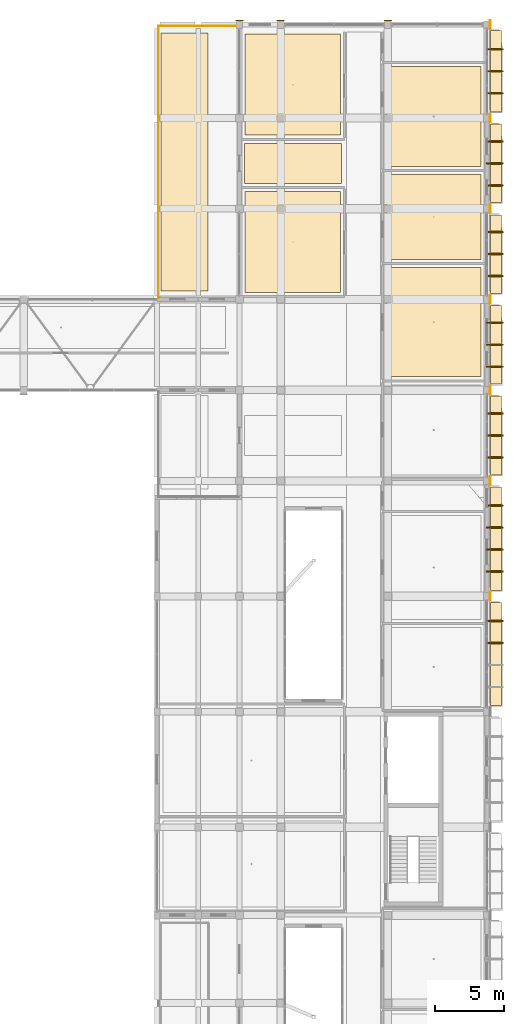
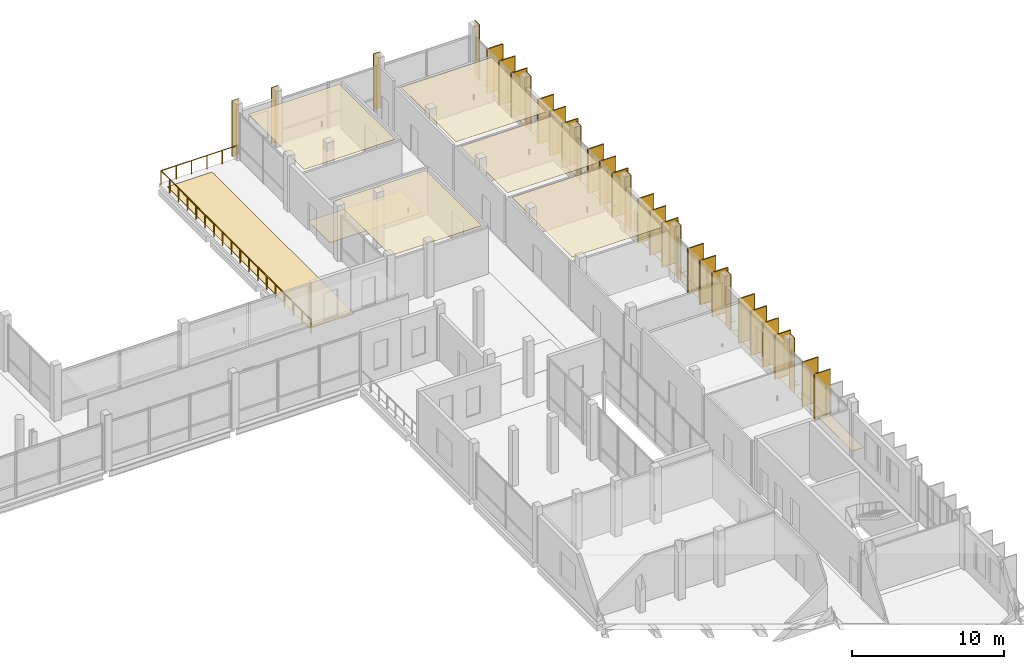
# One storey, part 95 of 95: 45 coverings, 21 shading devices, 2 railings.
"""IFC4 building model written with IfcOpenShell, lengths in metres."""

from ifc_helpers import new_model, si_unit, derived_unit, direction, frame, origin, origin_2d, place, context, subcontext, project, spatial, polyline, rectangle, circle, outline, extrude, material, layer, layer_set, type_object, element, save


model = new_model("IFC4")

# Units and contexts
model_context = context("Model", 3, precision=1e-05, world=origin(), true_north=direction((0.0, 1.0)))
body_context = subcontext(model_context, "Body", "Model", "MODEL_VIEW")
ifc_project = project(units=[si_unit("LENGTHUNIT", "METRE"), si_unit("AREAUNIT", "SQUARE_METRE"), si_unit("VOLUMEUNIT", "CUBIC_METRE"), si_unit("PLANEANGLEUNIT", "RADIAN"), si_unit("MASSUNIT", "GRAM", prefix="KILO"), derived_unit("THERMALTRANSMITTANCEUNIT", [(si_unit("POWERUNIT", "WATT"), 1), (si_unit("LENGTHUNIT", "METRE"), -2), (si_unit("THERMODYNAMICTEMPERATUREUNIT", "KELVIN"), -1)])], contexts=[model_context])

# Site, building, storey
site_placement = place(None, origin())
site = spatial("IfcSite", under=ifc_project, at=site_placement, CompositionType="ELEMENT")
building_placement = place(site_placement, origin())
building = spatial("IfcBuilding", under=site, at=building_placement, Name="Braskholm Square Health Centre", CompositionType="ELEMENT")
storey_placement = place(building_placement, frame((0.0, 0.0, 4.800048828125)))
storey = spatial("IfcBuildingStorey", under=building, at=storey_placement, Name="L02", CompositionType="ELEMENT", Elevation=4.800048828125)

# Coverings
ifc_material_1 = material(Name="Fire-rated gypsum board barrier")
ifc_layer_1 = layer(ifc_material_1, 0.02490234375)
ifc_layer_set_1 = layer_set([ifc_layer_1], Name="Fire-rated gypsum board barrier")
covering_type_1 = type_object("IfcCoveringType", Name="AcousticClinicalCeilingTile", PredefinedType="CEILING", material=ifc_layer_set_1)
covering_1_placement = place(storey_placement, frame((0.0, 0.0, 3.764892578125)))
element("IfcCovering", 1, at=covering_1_placement, inside=storey, type_object=covering_type_1, Name="Acoustic ceiling L02-199", PredefinedType="CEILING", context=body_context, shape_type="SweptSolid", body=[
    extrude(outline(polyline([(156.5, 88.179931640625), (163.3798828125, 88.179931640625), (163.3798828125, 96.110107421875), (156.5, 96.110107421875), (156.5, 88.179931640625)])), origin(), (0.0, 0.0, 1.0), 0.025146484375),
])
covering_2_placement = place(storey_placement, frame((0.0, 0.0, 3.764892578125)))
element("IfcCovering", 2, at=covering_2_placement, inside=storey, type_object=covering_type_1, Name="Acoustic ceiling L02-200", PredefinedType="CEILING", context=body_context, shape_type="SweptSolid", body=[
    extrude(outline(polyline([(156.5, 96.7099609375), (163.3798828125, 96.7099609375), (163.3798828125, 102.889892578125), (156.5, 102.889892578125), (156.5, 96.7099609375)])), origin(), (0.0, 0.0, 1.0), 0.025146484375),
])
covering_3_placement = place(storey_placement, frame((0.0, 0.0, 3.764892578125)))
element("IfcCovering", 3, at=covering_3_placement, inside=storey, type_object=covering_type_1, Name="Acoustic ceiling L02-201", PredefinedType="CEILING", context=body_context, shape_type="SweptSolid", body=[
    extrude(outline(polyline([(156.5, 103.489990234375), (163.3798828125, 103.489990234375), (163.3798828125, 110.739990234375), (156.5, 110.739990234375), (156.5, 103.489990234375)])), origin(), (0.0, 0.0, 1.0), 0.025146484375),
])
covering_4_placement = place(storey_placement, frame((0.0, 0.0, 3.764892578125)))
element("IfcCovering", 4, at=covering_4_placement, inside=storey, type_object=covering_type_1, Name="Acoustic ceiling L02-213", PredefinedType="CEILING", context=body_context, shape_type="SweptSolid", body=[
    extrude(outline(polyline([(146.219970703125, 94.300048828125), (153.14990234375, 94.300048828125), (153.14990234375, 101.64990234375), (146.219970703125, 101.64990234375), (146.219970703125, 94.300048828125)])), origin(), (0.0, 0.0, 1.0), 0.025146484375),
])
covering_5_placement = place(storey_placement, frame((0.0, 0.0, 3.764892578125)))
element("IfcCovering", 5, at=covering_5_placement, inside=storey, type_object=covering_type_1, Name="Acoustic ceiling L02-214", PredefinedType="CEILING", context=body_context, shape_type="SweptSolid", body=[
    extrude(outline(polyline([(146.219970703125, 105.75), (153.14990234375, 105.75), (153.14990234375, 113.10009765625), (146.219970703125, 113.10009765625), (146.219970703125, 105.75)])), origin(), (0.0, 0.0, 1.0), 0.025146484375),
])

# Railings
ifc_material_2 = material(Name="Dark patinated chevron architectural bronze", Category="aluminium")
railing_type = type_object("IfcRailingType", Name="BronzeChevronGuardrail1100", PredefinedType="GUARDRAIL", material=ifc_material_2)
railing_1_placement = place(storey_placement, frame((139.89990234375, 93.89990234375, 0.0)))
element("IfcRailing", 6, at=railing_1_placement, inside=storey, type_object=railing_type, Name="Bronze chevron guardrail 0011 L02", PredefinedType="GUARDRAIL", context=body_context, shape_type="SweptSolid", body=[
    extrude(circle(Radius=0.02392578125, at=origin_2d()), frame((0.0, 0.0, 1.076171875), z_axis=(0.0, 1.0, 0.0), x_axis=(-1.0, 0.0, 0.0)), (0.0, 0.0, 1.0), 19.800048828125),
    extrude(circle(Radius=0.02099609375, at=origin_2d()), origin(), (0.0, 0.0, 1.0), 1.052001953125),
    extrude(circle(Radius=0.02099609375, at=origin_2d()), frame((0.0, 1.164794921875, 0.0)), (0.0, 0.0, 1.0), 1.052001953125),
    extrude(circle(Radius=0.02099609375, at=origin_2d()), frame((0.0, 2.329345703125, 0.0)), (0.0, 0.0, 1.0), 1.052001953125),
    extrude(circle(Radius=0.02099609375, at=origin_2d()), frame((0.0, 3.494140625, 0.0)), (0.0, 0.0, 1.0), 1.052001953125),
    extrude(circle(Radius=0.02099609375, at=origin_2d()), frame((0.0, 4.658935546875, 0.0)), (0.0, 0.0, 1.0), 1.052001953125),
    extrude(circle(Radius=0.02099609375, at=origin_2d()), frame((0.0, 5.823486328125, 0.0)), (0.0, 0.0, 1.0), 1.052001953125),
    extrude(circle(Radius=0.02099609375, at=origin_2d()), frame((0.0, 6.98828125, 0.0)), (0.0, 0.0, 1.0), 1.052001953125),
    extrude(circle(Radius=0.02099609375, at=origin_2d()), frame((0.0, 8.153076171875, 0.0)), (0.0, 0.0, 1.0), 1.052001953125),
    extrude(circle(Radius=0.02099609375, at=origin_2d()), frame((0.0, 9.317626953125, 0.0)), (0.0, 0.0, 1.0), 1.052001953125),
    extrude(circle(Radius=0.02099609375, at=origin_2d()), frame((0.0, 10.482421875, 0.0)), (0.0, 0.0, 1.0), 1.052001953125),
    extrude(circle(Radius=0.02099609375, at=origin_2d()), frame((0.0, 11.64697265625, 0.0)), (0.0, 0.0, 1.0), 1.052001953125),
    extrude(circle(Radius=0.02099609375, at=origin_2d()), frame((0.0, 12.811767578125, 0.0)), (0.0, 0.0, 1.0), 1.052001953125),
    extrude(circle(Radius=0.02099609375, at=origin_2d()), frame((0.0, 13.9765625, 0.0)), (0.0, 0.0, 1.0), 1.052001953125),
    extrude(circle(Radius=0.02099609375, at=origin_2d()), frame((0.0, 15.14111328125, 0.0)), (0.0, 0.0, 1.0), 1.052001953125),
    extrude(circle(Radius=0.02099609375, at=origin_2d()), frame((0.0, 16.305908203125, 0.0)), (0.0, 0.0, 1.0), 1.052001953125),
    extrude(circle(Radius=0.02099609375, at=origin_2d()), frame((0.0, 17.470703125, 0.0)), (0.0, 0.0, 1.0), 1.052001953125),
    extrude(circle(Radius=0.02099609375, at=origin_2d()), frame((0.0, 18.63525390625, 0.0)), (0.0, 0.0, 1.0), 1.052001953125),
    extrude(circle(Radius=0.02099609375, at=origin_2d()), frame((0.0, 19.800048828125, 0.0)), (0.0, 0.0, 1.0), 1.052001953125),
])
railing_2_placement = place(storey_placement, frame((139.89990234375, 113.699951171875, 0.0)))
element("IfcRailing", 7, at=railing_2_placement, inside=storey, type_object=railing_type, Name="Bronze chevron guardrail 0012 L02", PredefinedType="GUARDRAIL", context=body_context, shape_type="SweptSolid", body=[
    extrude(circle(Radius=0.02392578125, at=origin_2d()), frame((0.0, 0.0, 1.076171875), z_axis=(1.0, 0.0, 0.0), x_axis=(0.0, 1.0, 0.0)), (0.0, 0.0, 1.0), 5.85009765625),
    extrude(circle(Radius=0.02099609375, at=origin_2d()), origin(), (0.0, 0.0, 1.0), 1.052001953125),
    extrude(circle(Radius=0.02099609375, at=origin_2d()), frame((1.169921875, 0.0, 0.0)), (0.0, 0.0, 1.0), 1.052001953125),
    extrude(circle(Radius=0.02099609375, at=origin_2d()), frame((2.340087890625, 0.0, 0.0)), (0.0, 0.0, 1.0), 1.052001953125),
    extrude(circle(Radius=0.02099609375, at=origin_2d()), frame((3.510009765625, 0.0, 0.0)), (0.0, 0.0, 1.0), 1.052001953125),
    extrude(circle(Radius=0.02099609375, at=origin_2d()), frame((4.68017578125, 0.0, 0.0)), (0.0, 0.0, 1.0), 1.052001953125),
    extrude(circle(Radius=0.02099609375, at=origin_2d()), frame((5.85009765625, 0.0, 0.0)), (0.0, 0.0, 1.0), 1.052001953125),
])

# Shading devices
ifc_material_3 = material(Name="Thermally modified western red cedar with bronze trim", Category="wood")
shading_device_type = type_object("IfcShadingDeviceType", Name="CedarBronzeShadingFin1250", PredefinedType="USERDEFINED", material=ifc_material_3)
for number, where, z_axis, x_axis, name in (
    (8, (164.364990234375, 68.800048828125, 0.0), (0.0, 0.0, 1.0), (1.0, 0.0, 0.0), "Warm cedar-bronze vertical shading slat 0235"),
    (9, (164.364990234375, 70.39990234375, 0.0), (0.0, 0.0, 1.0), (1.0, 0.0, 0.0), "Warm cedar-bronze vertical shading slat 0236"),
    (10, (164.364990234375, 74.0, 0.0), (0.0, 0.0, 1.0), (1.0, 0.0, 0.0), "Warm cedar-bronze vertical shading slat 0237"),
    (11, (164.364990234375, 75.60009765625, 0.0), (0.0, 0.0, 1.0), (1.0, 0.0, 0.0), "Warm cedar-bronze vertical shading slat 0238"),
    (12, (164.364990234375, 77.199951171875, 0.0), (0.0, 0.0, 1.0), (1.0, 0.0, 0.0), "Warm cedar-bronze vertical shading slat 0239"),
    (13, (164.364990234375, 78.800048828125, 0.0), (0.0, 0.0, 1.0), (1.0, 0.0, 0.0), "Warm cedar-bronze vertical shading slat 0240"),
    (14, (164.364990234375, 82.300048828125, 0.0), (0.0, 0.0, 1.0), (1.0, 0.0, 0.0), "Warm cedar-bronze vertical shading slat 0241"),
    (15, (164.364990234375, 83.89990234375, 0.0), (0.0, 0.0, 1.0), (1.0, 0.0, 0.0), "Warm cedar-bronze vertical shading slat 0242"),
    (16, (164.364990234375, 85.5, 0.0), (0.0, 0.0, 1.0), (1.0, 0.0, 0.0), "Warm cedar-bronze vertical shading slat 0243"),
    (17, (164.364990234375, 88.89990234375, 0.0), (0.0, 0.0, 1.0), (1.0, 0.0, 0.0), "Warm cedar-bronze vertical shading slat 0244"),
    (18, (164.364990234375, 90.5, 0.0), (0.0, 0.0, 1.0), (1.0, 0.0, 0.0), "Warm cedar-bronze vertical shading slat 0245"),
    (19, (164.364990234375, 92.10009765625, 0.0), (0.0, 0.0, 1.0), (1.0, 0.0, 0.0), "Warm cedar-bronze vertical shading slat 0246"),
    (20, (164.364990234375, 95.5, 0.0), (0.0, 0.0, 1.0), (1.0, 0.0, 0.0), "Warm cedar-bronze vertical shading slat 0247"),
    (21, (164.364990234375, 97.10009765625, 0.0), (0.0, 0.0, 1.0), (1.0, 0.0, 0.0), "Warm cedar-bronze vertical shading slat 0248"),
    (22, (164.364990234375, 98.699951171875, 0.0), (0.0, 0.0, 1.0), (1.0, 0.0, 0.0), "Warm cedar-bronze vertical shading slat 0249"),
    (23, (164.364990234375, 102.10009765625, 0.0), (0.0, 0.0, 1.0), (1.0, 0.0, 0.0), "Warm cedar-bronze vertical shading slat 0250"),
    (24, (164.364990234375, 103.699951171875, 0.0), (0.0, 0.0, 1.0), (1.0, 0.0, 0.0), "Warm cedar-bronze vertical shading slat 0251"),
    (25, (164.364990234375, 105.300048828125, 0.0), (0.0, 0.0, 1.0), (1.0, 0.0, 0.0), "Warm cedar-bronze vertical shading slat 0252"),
    (26, (164.364990234375, 108.800048828125, 0.0), (0.0, 0.0, 1.0), (1.0, 0.0, 0.0), "Warm cedar-bronze vertical shading slat 0253"),
    (27, (164.364990234375, 110.39990234375, 0.0), (0.0, 0.0, 1.0), (1.0, 0.0, 0.0), "Warm cedar-bronze vertical shading slat 0254"),
    (28, (164.364990234375, 112.0, 0.0), (0.0, 0.0, 1.0), (1.0, 0.0, 0.0), "Warm cedar-bronze vertical shading slat 0255"),
):
    element("IfcShadingDevice", number, at=place(storey_placement, frame(where, z_axis=z_axis, x_axis=x_axis)), inside=storey, type_object=shading_device_type, Name=name, ObjectType="FIN", PredefinedType="USERDEFINED", context=body_context, shape_type="SweptSolid", body=[
        extrude(rectangle(XDim=1.25, YDim=0.0849609375, at=origin_2d()), origin(), (0.0, 0.0, 1.0), 3.570068359375),
    ])

# Coverings
ifc_layer_2 = layer(ifc_material_3, 0.0849609375)
ifc_layer_set_2 = layer_set([ifc_layer_2], Name="Thermally modified western red cedar with bronze trim")
covering_type_2 = type_object("IfcCoveringType", Name="CedarBronzeSlatCladding", PredefinedType="CLADDING", material=ifc_layer_set_2)
for number, where, z_axis, x_axis, name in (
    (29, (164.3701171875, 68.800048828125, 0.0), (0.0, 0.0, 1.0), (1.0, 0.0, 0.0), "Cedar-bronze shading slat trim 0719"),
    (30, (164.3701171875, 70.39990234375, 0.0), (0.0, 0.0, 1.0), (1.0, 0.0, 0.0), "Cedar-bronze shading slat trim 0720"),
    (31, (164.3701171875, 74.0, 0.0), (0.0, 0.0, 1.0), (1.0, 0.0, 0.0), "Cedar-bronze shading slat trim 0722"),
    (32, (164.3701171875, 75.60009765625, 0.0), (0.0, 0.0, 1.0), (1.0, 0.0, 0.0), "Cedar-bronze shading slat trim 0723"),
    (33, (164.3701171875, 77.199951171875, 0.0), (0.0, 0.0, 1.0), (1.0, 0.0, 0.0), "Cedar-bronze shading slat trim 0724"),
    (34, (164.3701171875, 78.800048828125, 0.0), (0.0, 0.0, 1.0), (1.0, 0.0, 0.0), "Cedar-bronze shading slat trim 0725"),
    (35, (164.3701171875, 82.300048828125, 0.0), (0.0, 0.0, 1.0), (1.0, 0.0, 0.0), "Cedar-bronze shading slat trim 0727"),
    (36, (164.3701171875, 83.89990234375, 0.0), (0.0, 0.0, 1.0), (1.0, 0.0, 0.0), "Cedar-bronze shading slat trim 0728"),
    (37, (164.3701171875, 85.5, 0.0), (0.0, 0.0, 1.0), (1.0, 0.0, 0.0), "Cedar-bronze shading slat trim 0729"),
    (38, (164.3701171875, 88.89990234375, 0.0), (0.0, 0.0, 1.0), (1.0, 0.0, 0.0), "Cedar-bronze shading slat trim 0731"),
    (39, (164.3701171875, 90.5, 0.0), (0.0, 0.0, 1.0), (1.0, 0.0, 0.0), "Cedar-bronze shading slat trim 0732"),
    (40, (164.3701171875, 92.10009765625, 0.0), (0.0, 0.0, 1.0), (1.0, 0.0, 0.0), "Cedar-bronze shading slat trim 0733"),
    (41, (164.3701171875, 95.5, 0.0), (0.0, 0.0, 1.0), (1.0, 0.0, 0.0), "Cedar-bronze shading slat trim 0735"),
    (42, (164.3701171875, 97.10009765625, 0.0), (0.0, 0.0, 1.0), (1.0, 0.0, 0.0), "Cedar-bronze shading slat trim 0736"),
    (43, (164.3701171875, 98.699951171875, 0.0), (0.0, 0.0, 1.0), (1.0, 0.0, 0.0), "Cedar-bronze shading slat trim 0737"),
    (44, (164.3701171875, 102.10009765625, 0.0), (0.0, 0.0, 1.0), (1.0, 0.0, 0.0), "Cedar-bronze shading slat trim 0739"),
    (45, (164.3701171875, 103.699951171875, 0.0), (0.0, 0.0, 1.0), (1.0, 0.0, 0.0), "Cedar-bronze shading slat trim 0740"),
    (46, (164.3701171875, 105.300048828125, 0.0), (0.0, 0.0, 1.0), (1.0, 0.0, 0.0), "Cedar-bronze shading slat trim 0741"),
    (47, (164.3701171875, 108.800048828125, 0.0), (0.0, 0.0, 1.0), (1.0, 0.0, 0.0), "Cedar-bronze shading slat trim 0743"),
    (48, (164.3701171875, 110.39990234375, 0.0), (0.0, 0.0, 1.0), (1.0, 0.0, 0.0), "Cedar-bronze shading slat trim 0744"),
    (49, (164.3701171875, 112.0, 0.0), (0.0, 0.0, 1.0), (1.0, 0.0, 0.0), "Cedar-bronze shading slat trim 0745"),
):
    element("IfcCovering", number, at=place(storey_placement, frame(where, z_axis=z_axis, x_axis=x_axis)), inside=storey, type_object=covering_type_2, Name=name, PredefinedType="CLADDING", context=body_context, shape_type="SweptSolid", body=[
        extrude(rectangle(XDim=1.179931640625, YDim=0.094970703125, at=origin_2d()), origin(), (0.0, 0.0, 1.0), 3.570068359375),
    ])
ifc_material_4 = material(Name="Intensive botanical sedum and native prairie garden bed")
ifc_layer_3 = layer(ifc_material_4, 0.02490234375)
ifc_layer_set_3 = layer_set([ifc_layer_3], Name="Intensive botanical sedum and native prairie garden bed")
covering_type_3 = type_object("IfcCoveringType", Name="PlantedTerraceGardenBed", PredefinedType="ROOFING", material=ifc_layer_set_3)
covering_6_placement = place(storey_placement, origin())
element("IfcCovering", 50, at=covering_6_placement, inside=storey, type_object=covering_type_3, Name="East floor planter ledge sedum strip 0721", PredefinedType="ROOFING", context=body_context, shape_type="SweptSolid", body=[
    extrude(outline(polyline([(164.050048828125, 64.239990234375), (164.8798828125, 64.239990234375), (164.8798828125, 71.760009765625), (164.050048828125, 71.760009765625), (164.050048828125, 64.239990234375)])), origin(), (0.0, 0.0, 1.0), 0.02490234375),
])
covering_7_placement = place(storey_placement, origin())
element("IfcCovering", 51, at=covering_7_placement, inside=storey, type_object=covering_type_3, Name="East floor planter ledge sedum strip 0726", PredefinedType="ROOFING", context=body_context, shape_type="SweptSolid", body=[
    extrude(outline(polyline([(164.050048828125, 72.639892578125), (164.8798828125, 72.639892578125), (164.8798828125, 80.159912109375), (164.050048828125, 80.159912109375), (164.050048828125, 72.639892578125)])), origin(), (0.0, 0.0, 1.0), 0.02490234375),
])
covering_8_placement = place(storey_placement, origin())
element("IfcCovering", 52, at=covering_8_placement, inside=storey, type_object=covering_type_3, Name="East floor planter ledge sedum strip 0730", PredefinedType="ROOFING", context=body_context, shape_type="SweptSolid", body=[
    extrude(outline(polyline([(164.050048828125, 81.0400390625), (164.8798828125, 81.0400390625), (164.8798828125, 86.760009765625), (164.050048828125, 86.760009765625), (164.050048828125, 81.0400390625)])), origin(), (0.0, 0.0, 1.0), 0.02490234375),
])
covering_9_placement = place(storey_placement, origin())
element("IfcCovering", 53, at=covering_9_placement, inside=storey, type_object=covering_type_3, Name="East floor planter ledge sedum strip 0734", PredefinedType="ROOFING", context=body_context, shape_type="SweptSolid", body=[
    extrude(outline(polyline([(164.050048828125, 87.639892578125), (164.8798828125, 87.639892578125), (164.8798828125, 93.360107421875), (164.050048828125, 93.360107421875), (164.050048828125, 87.639892578125)])), origin(), (0.0, 0.0, 1.0), 0.02490234375),
])
covering_10_placement = place(storey_placement, origin())
element("IfcCovering", 54, at=covering_10_placement, inside=storey, type_object=covering_type_3, Name="East floor planter ledge sedum strip 0738", PredefinedType="ROOFING", context=body_context, shape_type="SweptSolid", body=[
    extrude(outline(polyline([(164.050048828125, 94.239990234375), (164.8798828125, 94.239990234375), (164.8798828125, 99.9599609375), (164.050048828125, 99.9599609375), (164.050048828125, 94.239990234375)])), origin(), (0.0, 0.0, 1.0), 0.02490234375),
])
covering_11_placement = place(storey_placement, origin())
element("IfcCovering", 55, at=covering_11_placement, inside=storey, type_object=covering_type_3, Name="East floor planter ledge sedum strip 0742", PredefinedType="ROOFING", context=body_context, shape_type="SweptSolid", body=[
    extrude(outline(polyline([(164.050048828125, 100.840087890625), (164.8798828125, 100.840087890625), (164.8798828125, 106.56005859375), (164.050048828125, 106.56005859375), (164.050048828125, 100.840087890625)])), origin(), (0.0, 0.0, 1.0), 0.02490234375),
])
covering_12_placement = place(storey_placement, origin())
element("IfcCovering", 56, at=covering_12_placement, inside=storey, type_object=covering_type_3, Name="East floor planter ledge sedum strip 0746", PredefinedType="ROOFING", context=body_context, shape_type="SweptSolid", body=[
    extrude(outline(polyline([(164.050048828125, 107.43994140625), (164.8798828125, 107.43994140625), (164.8798828125, 113.360107421875), (164.050048828125, 113.360107421875), (164.050048828125, 107.43994140625)])), origin(), (0.0, 0.0, 1.0), 0.02490234375),
])
covering_13_placement = place(storey_placement, origin())
element("IfcCovering", 57, at=covering_13_placement, inside=storey, type_object=covering_type_3, Name="Planted therapy terrace garden bed 0907", PredefinedType="ROOFING", context=body_context, shape_type="SweptSolid", body=[
    extrude(outline(polyline([(140.10009765625, 94.39990234375), (143.5, 94.39990234375), (143.5, 113.199951171875), (140.10009765625, 113.199951171875), (140.10009765625, 94.39990234375)])), origin(), (0.0, 0.0, 1.0), 0.02490234375),
])
ifc_material_5 = material(Name="Polished geometric terrazzo flooring", Category="masonry")
ifc_layer_4 = layer(ifc_material_5, 0.02001953125)
ifc_layer_set_4 = layer_set([ifc_layer_4], Name="Polished geometric terrazzo flooring")
covering_type_4 = type_object("IfcCoveringType", Name="PolishedTerrazzoFloorFinish", PredefinedType="FLOORING", material=ifc_layer_set_4)
covering_14_placement = place(storey_placement, origin())
element("IfcCovering", 58, at=covering_14_placement, inside=storey, type_object=covering_type_4, Name="Polished terrazzo floor L02-207", PredefinedType="FLOORING", context=body_context, shape_type="SweptSolid", body=[
    extrude(outline(polyline([(146.169921875, 102.25), (153.219970703125, 102.25), (153.219970703125, 105.14990234375), (146.169921875, 105.14990234375), (146.169921875, 102.25)])), origin(), (0.0, 0.0, 1.0), 0.02001953125),
])
ifc_material_6 = material(Name="Precast concrete C40/50 architectural white", Category="concrete")
ifc_layer_5 = layer(ifc_material_6, 0.054931640625)
ifc_layer_set_5 = layer_set([ifc_layer_5], Name="Precast concrete C40/50 architectural white")
covering_type_5 = type_object("IfcCoveringType", Name="PrecastWhiteColumnCasing", PredefinedType="CLADDING", material=ifc_layer_set_5)
for number, where, z_axis, x_axis, name in (
    (59, (145.800048828125, 114.10498046875, 0.0), (0.0, 0.0, 1.0), (1.0, 0.0, 0.0), "Giant-order white precast column casing 0223"),
    (60, (148.800048828125, 114.10498046875, 0.0), (0.0, 0.0, 1.0), (1.0, 0.0, 0.0), "Giant-order white precast column casing 0230"),
    (61, (156.60009765625, 114.10498046875, 0.0), (0.0, 0.0, 1.0), (1.0, 0.0, 0.0), "Giant-order white precast column casing 0240"),
):
    element("IfcCovering", number, at=place(storey_placement, frame(where, z_axis=z_axis, x_axis=x_axis)), inside=storey, type_object=covering_type_5, Name=name, PredefinedType="CLADDING", context=body_context, shape_type="SweptSolid", body=[
        extrude(rectangle(XDim=0.5400390625, YDim=0.06005859375, at=origin_2d()), origin(), (0.0, 0.0, 1.0), 4.5),
    ])
for number, where, z_axis, x_axis, name in (
    (62, (164.054931640625, 72.199951171875, 0.0), (0.0, 0.0, 1.0), (1.0, 0.0, 0.0), "Giant-order white precast column casing 0325"),
    (63, (164.054931640625, 80.60009765625, 0.0), (0.0, 0.0, 1.0), (1.0, 0.0, 0.0), "Giant-order white precast column casing 0333"),
    (64, (164.054931640625, 87.199951171875, 0.0), (0.0, 0.0, 1.0), (1.0, 0.0, 0.0), "Giant-order white precast column casing 0341"),
    (65, (164.054931640625, 93.800048828125, 0.0), (0.0, 0.0, 1.0), (1.0, 0.0, 0.0), "Giant-order white precast column casing 0349"),
    (66, (164.054931640625, 100.39990234375, 0.0), (0.0, 0.0, 1.0), (1.0, 0.0, 0.0), "Giant-order white precast column casing 0357"),
    (67, (164.054931640625, 107.0, 0.0), (0.0, 0.0, 1.0), (1.0, 0.0, 0.0), "Giant-order white precast column casing 0365"),
    (68, (164.054931640625, 113.800048828125, 0.0), (0.0, 0.0, 1.0), (1.0, 0.0, 0.0), "Giant-order white precast column casing 0373"),
):
    element("IfcCovering", number, at=place(storey_placement, frame(where, z_axis=z_axis, x_axis=x_axis)), inside=storey, type_object=covering_type_5, Name=name, PredefinedType="CLADDING", context=body_context, shape_type="SweptSolid", body=[
        extrude(rectangle(XDim=0.06005859375, YDim=0.639892578125, at=origin_2d()), origin(), (0.0, 0.0, 1.0), 4.5),
    ])

save(model, "model.ifc")
